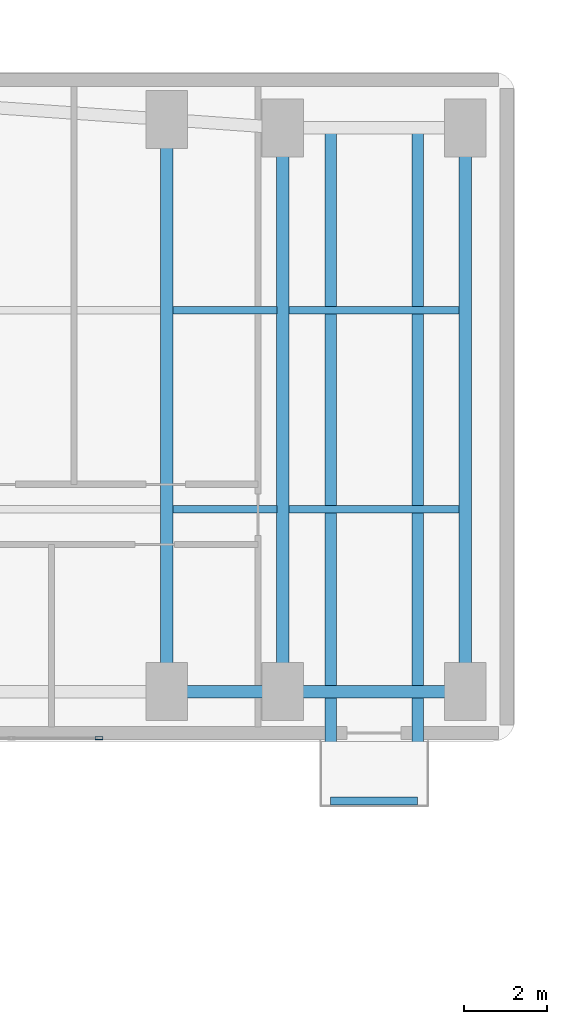
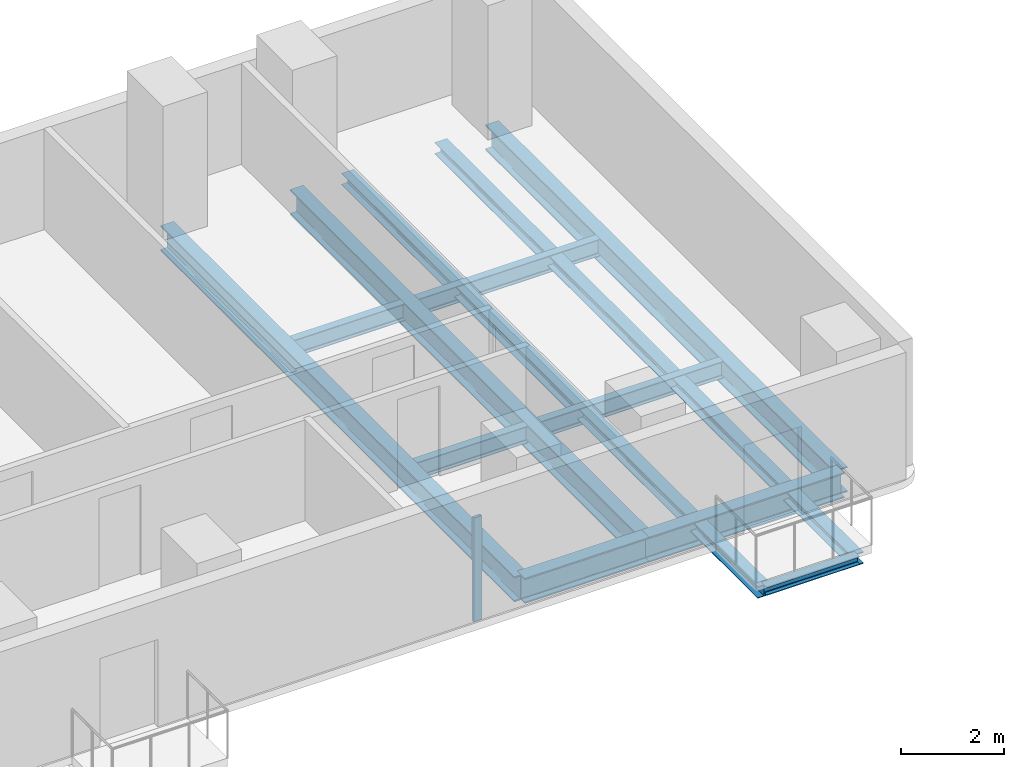
# One storey, part 6 of 14: 12 beams, 1 member, 1 element without a shape of its own.
"""IFC4 building model written with IfcOpenShell, lengths in metres."""

from ifc_helpers import new_model, si_unit, direction, frame, origin, origin_2d, place, context, subcontext, project, spatial, hollow_rectangle, i_section, extrude, material, material_profile, profile_set, type_object, element, aggregate, save


model = new_model("IFC4")

# Units and contexts
model_context = context("Model", 3, precision=1e-05, world=origin(), true_north=direction((0.0, 1.0)))
body_context = subcontext(model_context, "Body", "Model", "MODEL_VIEW")
ifc_project = project(units=[si_unit("LENGTHUNIT", "METRE"), si_unit("AREAUNIT", "SQUARE_METRE"), si_unit("VOLUMEUNIT", "CUBIC_METRE"), si_unit("PLANEANGLEUNIT", "RADIAN"), si_unit("MASSUNIT", "GRAM", prefix="KILO")], contexts=[model_context])

# Site, building, storey
site_placement = place(None, origin())
site = spatial("IfcSite", under=ifc_project, at=site_placement, CompositionType="ELEMENT")
building_placement = place(site_placement, origin())
building = spatial("IfcBuilding", under=site, at=building_placement, Name="Kuzgunbayir Cultural Tower", CompositionType="ELEMENT")
storey_placement = place(building_placement, frame((0.0, 0.0, 62.800048828125)))
storey = spatial("IfcBuildingStorey", under=building, at=storey_placement, Name="L17", CompositionType="ELEMENT", Elevation=62.800048828125)

# Beams
ifc_material_1 = material(Name="Steel S355J2", Category="steel")
ifc_material_profile_1 = material_profile(ifc_material_1, i_section(OverallWidth=0.280029296875, OverallDepth=0.280029296875, WebThickness=0.010498046875, FlangeThickness=0.01806640625, FilletRadius=0.02392578125, at=origin_2d()), Name="HEB 280")
ifc_profile_set_1 = profile_set([ifc_material_profile_1], Name="Steel S355J2")
beam_type_1 = type_object("IfcBeamType", Name="BM-BAL-HEB280", PredefinedType="BEAM", material=ifc_profile_set_1)
for number, where, z_axis, x_axis, name in (
    (1, (42.35009765625, 24.9599609375, -0.340087890625), (0.0, 1.0, 0.0), (-1.0, 0.0, 0.0), "L17 Balcony Outrigger Beam BAL-L17-WB3.1"),
    (2, (44.449951171875, 24.9599609375, -0.340087890625), (0.0, 1.0, 0.0), (-1.0, 0.0, 0.0), "L17 Balcony Outrigger Beam BAL-L17-WB3.2"),
):
    element("IfcBeam", number, at=place(storey_placement, frame(where, z_axis=z_axis, x_axis=x_axis)), inside=storey, type_object=beam_type_1, Name=name, PredefinedType="BEAM", context=body_context, shape_type="SweptSolid", body=[
        extrude(i_section(OverallWidth=0.280029296875, OverallDepth=0.280029296875, WebThickness=0.010498046875, FlangeThickness=0.01806640625, FilletRadius=0.02392578125, at=origin_2d()), origin(), (0.0, 0.0, 1.0), 16.239990234375),
    ])
ifc_material_profile_2 = material_profile(ifc_material_1, i_section(OverallWidth=0.199951171875, OverallDepth=0.199951171875, WebThickness=0.009033203125, FlangeThickness=0.014892578125, FilletRadius=0.01806640625, at=origin_2d()), Name="HEB 200")
ifc_profile_set_2 = profile_set([ifc_material_profile_2], Name="Steel S355J2")
beam_type_2 = type_object("IfcBeamType", Name="BM-CAN-HEB200", PredefinedType="BEAM", material=ifc_profile_set_2)
beam_1_placement = place(storey_placement, frame((42.35009765625, 24.9599609375, -0.300048828125), z_axis=(1.0, 0.0, 0.0), x_axis=(0.0, 1.0, 0.0)))
element("IfcBeam", 3, at=beam_1_placement, inside=storey, type_object=beam_type_2, Name="L17 Balcony Edge Header BAL-L17-WB3", PredefinedType="BEAM", context=body_context, shape_type="SweptSolid", body=[
    extrude(i_section(OverallWidth=0.199951171875, OverallDepth=0.199951171875, WebThickness=0.009033203125, FlangeThickness=0.014892578125, FilletRadius=0.01806640625, at=origin_2d()), origin(), (0.0, 0.0, 1.0), 2.099853515625),
])
ifc_material_profile_3 = material_profile(ifc_material_1, i_section(OverallWidth=0.300048828125, OverallDepth=0.60009765625, WebThickness=0.015380859375, FlangeThickness=0.030029296875, FilletRadius=0.027099609375, at=origin_2d()), Name="HEB 600")
ifc_profile_set_3 = profile_set([ifc_material_profile_3], Name="Steel S355J2")
beam_type_3 = type_object("IfcBeamType", Name="BM-EXT-HEB600", PredefinedType="BEAM", material=ifc_profile_set_3)
beam_2_placement = place(storey_placement, frame((38.39990234375, 27.60009765625, -0.47998046875), z_axis=(1.0, 0.0, 0.0), x_axis=(0.0, 1.0, 0.0)))
element("IfcBeam", 4, at=beam_2_placement, inside=storey, type_object=beam_type_3, Name="L17 Wing B South Girder 3", PredefinedType="BEAM", context=body_context, shape_type="SweptSolid", body=[
    extrude(i_section(OverallWidth=0.300048828125, OverallDepth=0.60009765625, WebThickness=0.015380859375, FlangeThickness=0.030029296875, FilletRadius=0.027099609375, at=origin_2d()), origin(), (0.0, 0.0, 1.0), 2.800048828125),
])
beam_3_placement = place(storey_placement, frame((41.199951171875, 27.60009765625, -0.47998046875), z_axis=(1.0, 0.0, 0.0), x_axis=(0.0, 1.0, 0.0)))
element("IfcBeam", 5, at=beam_3_placement, inside=storey, type_object=beam_type_3, Name="L17 Wing B South Girder 4", PredefinedType="BEAM", context=body_context, shape_type="SweptSolid", body=[
    extrude(i_section(OverallWidth=0.300048828125, OverallDepth=0.60009765625, WebThickness=0.015380859375, FlangeThickness=0.030029296875, FilletRadius=0.027099609375, at=origin_2d()), origin(), (0.0, 0.0, 1.0), 4.400146484375),
])
ifc_material_profile_4 = material_profile(ifc_material_1, i_section(OverallWidth=0.300048828125, OverallDepth=0.60009765625, WebThickness=0.015380859375, FlangeThickness=0.030029296875, FilletRadius=0.027099609375, at=origin_2d()), Name="HEB 600")
ifc_profile_set_4 = profile_set([ifc_material_profile_4], Name="Steel S355J2")
beam_type_4 = type_object("IfcBeamType", Name="BM-GIR-HEB600", PredefinedType="BEAM", material=ifc_profile_set_4)
beam_4_placement = place(storey_placement, frame((38.39990234375, 27.60009765625, -0.47998046875), z_axis=(0.0, 1.0, 0.0), x_axis=(-1.0, 0.0, 0.0)))
element("IfcBeam", 6, at=beam_4_placement, inside=storey, type_object=beam_type_4, Name="L17 Wing B Cross Girder 38", PredefinedType="BEAM", context=body_context, shape_type="SweptSolid", body=[
    extrude(i_section(OverallWidth=0.300048828125, OverallDepth=0.60009765625, WebThickness=0.015380859375, FlangeThickness=0.030029296875, FilletRadius=0.027099609375, at=origin_2d()), origin(), (0.0, 0.0, 1.0), 13.7998046875),
])
for number, where, z_axis, x_axis, name in (
    (7, (41.199951171875, 27.60009765625, -0.47998046875), (0.0, 1.0, 0.0), (-1.0, 0.0, 0.0), "L17 Wing B Cross Girder 41"),
    (8, (45.60009765625, 27.60009765625, -0.47998046875), (0.0, 1.0, 0.0), (-1.0, 0.0, 0.0), "L17 Wing B Cross Girder 45"),
):
    element("IfcBeam", number, at=place(storey_placement, frame(where, z_axis=z_axis, x_axis=x_axis)), inside=storey, type_object=beam_type_4, Name=name, PredefinedType="BEAM", context=body_context, shape_type="SweptSolid", body=[
        extrude(i_section(OverallWidth=0.300048828125, OverallDepth=0.60009765625, WebThickness=0.015380859375, FlangeThickness=0.030029296875, FilletRadius=0.027099609375, at=origin_2d()), origin(), (0.0, 0.0, 1.0), 13.599853515625),
    ])
ifc_material_profile_5 = material_profile(ifc_material_1, i_section(OverallWidth=0.179931640625, OverallDepth=0.39990234375, WebThickness=0.008544921875, FlangeThickness=0.013427734375, FilletRadius=0.02099609375, at=origin_2d()), Name="IPE 400")
ifc_profile_set_5 = profile_set([ifc_material_profile_5], Name="Steel S355J2")
beam_type_5 = type_object("IfcBeamType", Name="BM-JST-IPE400", PredefinedType="JOIST", material=ifc_profile_set_5)
for number, where, z_axis, x_axis, name in (
    (9, (38.550048828125, 32.0, -0.380126953125), (1.0, 0.0, 0.0), (0.0, 1.0, 0.0), "L17 Wing B Secondary Joist 2.1"),
    (10, (38.550048828125, 36.800048828125, -0.380126953125), (1.0, 0.0, 0.0), (0.0, 1.0, 0.0), "L17 Wing B Secondary Joist 2.2"),
):
    element("IfcBeam", number, at=place(storey_placement, frame(where, z_axis=z_axis, x_axis=x_axis)), inside=storey, type_object=beam_type_5, Name=name, PredefinedType="JOIST", context=body_context, shape_type="SweptSolid", body=[
        extrude(i_section(OverallWidth=0.179931640625, OverallDepth=0.39990234375, WebThickness=0.008544921875, FlangeThickness=0.013427734375, FilletRadius=0.02099609375, at=origin_2d()), origin(), (0.0, 0.0, 1.0), 2.5),
    ])
for number, where, z_axis, x_axis, name in (
    (11, (41.35009765625, 32.0, -0.380126953125), (1.0, 0.0, 0.0), (0.0, 1.0, 0.0), "L17 Wing B Secondary Joist 3.1"),
    (12, (41.35009765625, 36.800048828125, -0.380126953125), (1.0, 0.0, 0.0), (0.0, 1.0, 0.0), "L17 Wing B Secondary Joist 3.2"),
):
    element("IfcBeam", number, at=place(storey_placement, frame(where, z_axis=z_axis, x_axis=x_axis)), inside=storey, type_object=beam_type_5, Name=name, PredefinedType="JOIST", context=body_context, shape_type="SweptSolid", body=[
        extrude(i_section(OverallWidth=0.179931640625, OverallDepth=0.39990234375, WebThickness=0.008544921875, FlangeThickness=0.013427734375, FilletRadius=0.02099609375, at=origin_2d()), origin(), (0.0, 0.0, 1.0), 4.099853515625),
    ])

# Curtain wall, member
ifc_material_2 = material(Name="Anodised Aluminium Framing", Category="aluminium")
curtain_wall_type = type_object("IfcCurtainWallType", Name="CW03-T1-OFFICE", PredefinedType="NOTDEFINED", material=ifc_material_2)
curtain_wall_placement = place(storey_placement, origin())
curtain_wall = element("IfcCurtainWall", 13, at=curtain_wall_placement, inside=storey, type_object=curtain_wall_type, Name="L17 Wing B South Feature Curtain Wall", PredefinedType="NOTDEFINED")
ifc_material_profile_6 = material_profile(ifc_material_2, hollow_rectangle(XDim=0.074951171875, YDim=0.179931640625, WallThickness=0.0048828125, at=origin_2d()), Name="RHS 180x75x5")
ifc_profile_set_6 = profile_set([ifc_material_profile_6], Name="Anodised Aluminium Framing")
member_type = type_object("IfcMemberType", Name="MEM-CW-MULLION-180", PredefinedType="MULLION", material=ifc_profile_set_6)
member_placement = place(storey_placement, frame((36.762451171875, 26.47998046875, 0.0), z_axis=(0.0, 0.0, 1.0), x_axis=(0.0, 1.0, 0.0)))
member = element("IfcMember", 14, at=member_placement, type_object=member_type, Name="CW03 mullion 3", PredefinedType="MULLION", context=body_context, shape_type="SweptSolid", body=[
    extrude(hollow_rectangle(XDim=0.074951171875, YDim=0.179931640625, WallThickness=0.0048828125, at=origin_2d()), origin(), (0.0, 0.0, 1.0), 2.469970703125),
])
aggregate(curtain_wall, [member])

save(model, "model.ifc")
